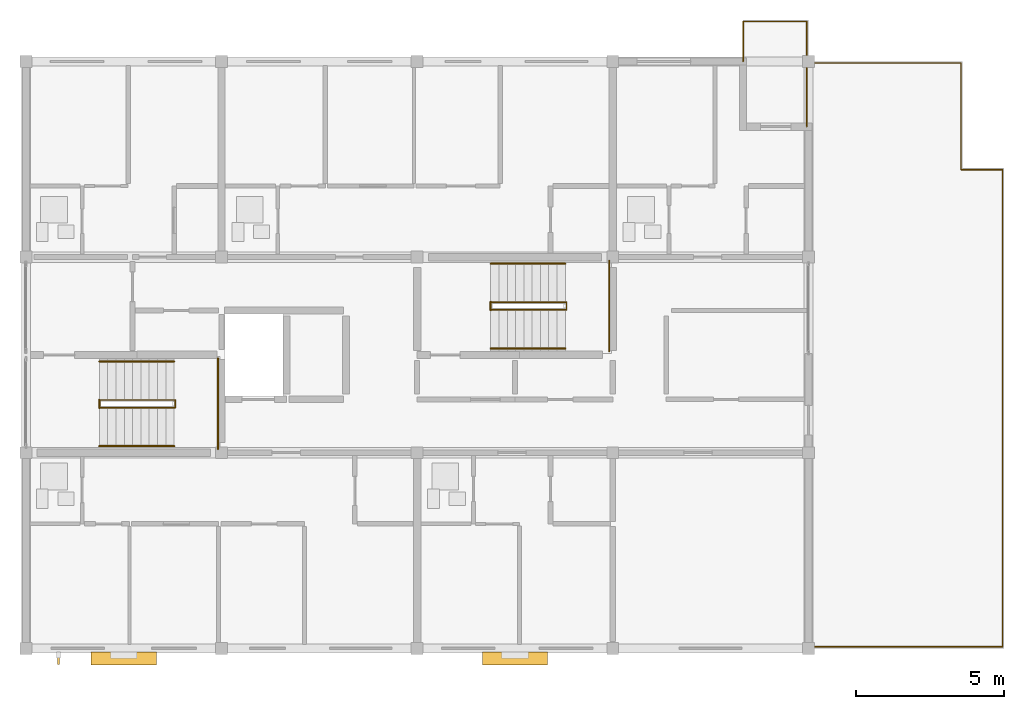
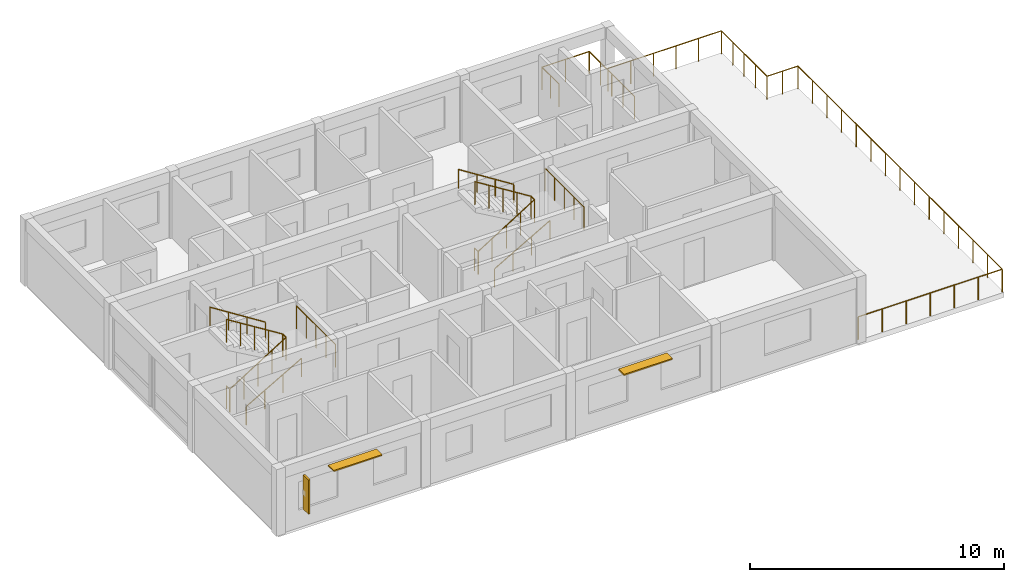
# One storey, part 11 of 12: 12 railings, 3 shading devices.
"""IFC4 building model written with IfcOpenShell, lengths in metres."""

from ifc_helpers import new_model, si_unit, direction, frame, origin, origin_2d, place, context, subcontext, project, spatial, rectangle, circle, extrude, material, layer, layer_set, type_object, element, save


model = new_model("IFC4")

# Units and contexts
model_context = context("Model", 3, precision=1e-05, world=origin(), true_north=direction((0.0, 1.0)))
body_context = subcontext(model_context, "Body", "Model", "MODEL_VIEW")
ifc_project = project(units=[si_unit("LENGTHUNIT", "METRE"), si_unit("AREAUNIT", "SQUARE_METRE"), si_unit("VOLUMEUNIT", "CUBIC_METRE"), si_unit("PLANEANGLEUNIT", "RADIAN"), si_unit("MASSUNIT", "GRAM", prefix="KILO")], contexts=[model_context])

# Site, building, storey
site_placement = place(None, origin())
site = spatial("IfcSite", under=ifc_project, at=site_placement, CompositionType="ELEMENT")
building_placement = place(site_placement, origin())
building = spatial("IfcBuilding", under=site, at=building_placement, Name="Kernevlak Ridge Housing Community", CompositionType="ELEMENT")
storey_placement = place(building_placement, frame((0.0, 0.0, 56.39990234375)))
storey = spatial("IfcBuildingStorey", under=building, at=storey_placement, Name="L17", CompositionType="ELEMENT", Elevation=56.39990234375)

# Railings
ifc_material_1 = material(Name="Steel S355", Category="steel")
railing_type_1 = type_object("IfcRailingType", Name="BL-01", PredefinedType="BALUSTRADE", material=ifc_material_1)
railing_1_placement = place(storey_placement, frame((39.800048828125, 95.800048828125, 0.0)))
element("IfcRailing", 1, at=railing_1_placement, inside=storey, type_object=railing_type_1, Name="Block A L17 balcony balustrade BL-01 17", PredefinedType="BALUSTRADE", context=body_context, shape_type="SweptSolid", body=[
    extrude(circle(Radius=0.02392578125, at=origin_2d()), frame((0.0, 0.0, 1.076171875), z_axis=(0.0, 1.0, 0.0), x_axis=(-1.0, 0.0, 0.0)), (0.0, 0.0, 1.0), 1.349853515625),
    extrude(circle(Radius=0.02392578125, at=origin_2d()), frame((0.0, 1.349853515625, 1.076171875), z_axis=(1.0, 0.0, 0.0), x_axis=(0.0, 1.0, 0.0)), (0.0, 0.0, 1.0), 2.14990234375),
    extrude(circle(Radius=0.02392578125, at=origin_2d()), frame((2.14990234375, 1.349853515625, 1.076171875), z_axis=(0.0, -1.0, 0.0), x_axis=(1.0, 0.0, 0.0)), (0.0, 0.0, 1.0), 3.5498046875),
    extrude(circle(Radius=0.02099609375, at=origin_2d()), origin(), (0.0, 0.0, 1.0), 1.052001953125),
    extrude(circle(Radius=0.02099609375, at=origin_2d()), frame((0.0, 0.6748046875, 0.0)), (0.0, 0.0, 1.0), 1.052001953125),
    extrude(circle(Radius=0.02099609375, at=origin_2d()), frame((0.0, 1.349853515625, 0.0)), (0.0, 0.0, 1.0), 1.052001953125),
    extrude(circle(Radius=0.02099609375, at=origin_2d()), frame((1.074951171875, 1.349853515625, 0.0)), (0.0, 0.0, 1.0), 1.052001953125),
    extrude(circle(Radius=0.02099609375, at=origin_2d()), frame((2.14990234375, 1.349853515625, 0.0)), (0.0, 0.0, 1.0), 1.052001953125),
    extrude(circle(Radius=0.02099609375, at=origin_2d()), frame((2.14990234375, 0.46240234375, 0.0)), (0.0, 0.0, 1.0), 1.052001953125),
    extrude(circle(Radius=0.02099609375, at=origin_2d()), frame((2.14990234375, -0.425048828125, 0.0)), (0.0, 0.0, 1.0), 1.052001953125),
    extrude(circle(Radius=0.02099609375, at=origin_2d()), frame((2.14990234375, -1.3125, 0.0)), (0.0, 0.0, 1.0), 1.052001953125),
    extrude(circle(Radius=0.02099609375, at=origin_2d()), frame((2.14990234375, -2.199951171875, 0.0)), (0.0, 0.0, 1.0), 1.052001953125),
])
railing_type_2 = type_object("IfcRailingType", Name="GR-01", PredefinedType="GUARDRAIL", material=ifc_material_1)
railing_2_placement = place(storey_placement, frame((42.0, 76.050048828125, 0.0)))
element("IfcRailing", 2, at=railing_2_placement, inside=storey, type_object=railing_type_2, Name="Block A L17 setback terrace guard GR-01 18", PredefinedType="GUARDRAIL", context=body_context, shape_type="SweptSolid", body=[
    extrude(circle(Radius=0.02392578125, at=origin_2d()), frame((0.0, 0.0, 1.09619140625), z_axis=(1.0, 0.0, 0.0), x_axis=(0.0, 1.0, 0.0)), (0.0, 0.0, 1.0), 6.550048828125),
    extrude(circle(Radius=0.02392578125, at=origin_2d()), frame((6.550048828125, 0.0, 1.09619140625), z_axis=(0.0, 1.0, 0.0), x_axis=(-1.0, 0.0, 0.0)), (0.0, 0.0, 1.0), 16.099853515625),
    extrude(circle(Radius=0.02392578125, at=origin_2d()), frame((6.550048828125, 16.099853515625, 1.09619140625), z_axis=(-1.0, 0.0, 0.0), x_axis=(0.0, -1.0, 0.0)), (0.0, 0.0, 1.0), 1.400146484375),
    extrude(circle(Radius=0.02392578125, at=origin_2d()), frame((5.14990234375, 16.099853515625, 1.09619140625), z_axis=(0.0, 1.0, 0.0), x_axis=(-1.0, 0.0, 0.0)), (0.0, 0.0, 1.0), 3.60009765625),
    extrude(circle(Radius=0.02392578125, at=origin_2d()), frame((5.14990234375, 19.699951171875, 1.09619140625), z_axis=(-1.0, 0.0, 0.0), x_axis=(0.0, -1.0, 0.0)), (0.0, 0.0, 1.0), 5.14990234375),
    extrude(circle(Radius=0.02099609375, at=origin_2d()), origin(), (0.0, 0.0, 1.0), 1.072021484375),
    extrude(circle(Radius=0.02099609375, at=origin_2d()), frame((1.091796875, 0.0, 0.0)), (0.0, 0.0, 1.0), 1.072021484375),
    extrude(circle(Radius=0.02099609375, at=origin_2d()), frame((2.183349609375, 0.0, 0.0)), (0.0, 0.0, 1.0), 1.072021484375),
    extrude(circle(Radius=0.02099609375, at=origin_2d()), frame((3.27490234375, 0.0, 0.0)), (0.0, 0.0, 1.0), 1.072021484375),
    extrude(circle(Radius=0.02099609375, at=origin_2d()), frame((4.36669921875, 0.0, 0.0)), (0.0, 0.0, 1.0), 1.072021484375),
    extrude(circle(Radius=0.02099609375, at=origin_2d()), frame((5.45849609375, 0.0, 0.0)), (0.0, 0.0, 1.0), 1.072021484375),
    extrude(circle(Radius=0.02099609375, at=origin_2d()), frame((6.550048828125, 0.0, 0.0)), (0.0, 0.0, 1.0), 1.072021484375),
    extrude(circle(Radius=0.02099609375, at=origin_2d()), frame((6.550048828125, 1.14990234375, 0.0)), (0.0, 0.0, 1.0), 1.072021484375),
    extrude(circle(Radius=0.02099609375, at=origin_2d()), frame((6.550048828125, 2.300048828125, 0.0)), (0.0, 0.0, 1.0), 1.072021484375),
    extrude(circle(Radius=0.02099609375, at=origin_2d()), frame((6.550048828125, 3.449951171875, 0.0)), (0.0, 0.0, 1.0), 1.072021484375),
    extrude(circle(Radius=0.02099609375, at=origin_2d()), frame((6.550048828125, 4.599853515625, 0.0)), (0.0, 0.0, 1.0), 1.072021484375),
    extrude(circle(Radius=0.02099609375, at=origin_2d()), frame((6.550048828125, 5.75, 0.0)), (0.0, 0.0, 1.0), 1.072021484375),
    extrude(circle(Radius=0.02099609375, at=origin_2d()), frame((6.550048828125, 6.89990234375, 0.0)), (0.0, 0.0, 1.0), 1.072021484375),
    extrude(circle(Radius=0.02099609375, at=origin_2d()), frame((6.550048828125, 8.0498046875, 0.0)), (0.0, 0.0, 1.0), 1.072021484375),
    extrude(circle(Radius=0.02099609375, at=origin_2d()), frame((6.550048828125, 9.199951171875, 0.0)), (0.0, 0.0, 1.0), 1.072021484375),
    extrude(circle(Radius=0.02099609375, at=origin_2d()), frame((6.550048828125, 10.349853515625, 0.0)), (0.0, 0.0, 1.0), 1.072021484375),
    extrude(circle(Radius=0.02099609375, at=origin_2d()), frame((6.550048828125, 11.5, 0.0)), (0.0, 0.0, 1.0), 1.072021484375),
    extrude(circle(Radius=0.02099609375, at=origin_2d()), frame((6.550048828125, 12.64990234375, 0.0)), (0.0, 0.0, 1.0), 1.072021484375),
    extrude(circle(Radius=0.02099609375, at=origin_2d()), frame((6.550048828125, 13.7998046875, 0.0)), (0.0, 0.0, 1.0), 1.072021484375),
    extrude(circle(Radius=0.02099609375, at=origin_2d()), frame((6.550048828125, 14.949951171875, 0.0)), (0.0, 0.0, 1.0), 1.072021484375),
    extrude(circle(Radius=0.02099609375, at=origin_2d()), frame((6.550048828125, 16.099853515625, 0.0)), (0.0, 0.0, 1.0), 1.072021484375),
    extrude(circle(Radius=0.02099609375, at=origin_2d()), frame((5.85009765625, 16.099853515625, 0.0)), (0.0, 0.0, 1.0), 1.072021484375),
    extrude(circle(Radius=0.02099609375, at=origin_2d()), frame((5.14990234375, 16.099853515625, 0.0)), (0.0, 0.0, 1.0), 1.072021484375),
    extrude(circle(Radius=0.02099609375, at=origin_2d()), frame((5.14990234375, 17.0, 0.0)), (0.0, 0.0, 1.0), 1.072021484375),
    extrude(circle(Radius=0.02099609375, at=origin_2d()), frame((5.14990234375, 17.89990234375, 0.0)), (0.0, 0.0, 1.0), 1.072021484375),
    extrude(circle(Radius=0.02099609375, at=origin_2d()), frame((5.14990234375, 18.7998046875, 0.0)), (0.0, 0.0, 1.0), 1.072021484375),
    extrude(circle(Radius=0.02099609375, at=origin_2d()), frame((5.14990234375, 19.699951171875, 0.0)), (0.0, 0.0, 1.0), 1.072021484375),
    extrude(circle(Radius=0.02099609375, at=origin_2d()), frame((4.119873046875, 19.699951171875, 0.0)), (0.0, 0.0, 1.0), 1.072021484375),
    extrude(circle(Radius=0.02099609375, at=origin_2d()), frame((3.08984375, 19.699951171875, 0.0)), (0.0, 0.0, 1.0), 1.072021484375),
    extrude(circle(Radius=0.02099609375, at=origin_2d()), frame((2.06005859375, 19.699951171875, 0.0)), (0.0, 0.0, 1.0), 1.072021484375),
    extrude(circle(Radius=0.02099609375, at=origin_2d()), frame((1.030029296875, 19.699951171875, 0.0)), (0.0, 0.0, 1.0), 1.072021484375),
    extrude(circle(Radius=0.02099609375, at=origin_2d()), frame((0.0, 19.699951171875, 0.0)), (0.0, 0.0, 1.0), 1.072021484375),
])
railing_type_3 = type_object("IfcRailingType", Name="GR-02", PredefinedType="GUARDRAIL", material=ifc_material_1)
railing_3_placement = place(storey_placement, frame((18.080078125, 84.110107421875, 0.0)))
element("IfcRailing", 3, at=railing_3_placement, inside=storey, type_object=railing_type_3, Name="Stair ST-A1 L17 well slot guard", PredefinedType="GUARDRAIL", context=body_context, shape_type="SweptSolid", body=[
    extrude(circle(Radius=0.02392578125, at=origin_2d()), frame((0.0, 0.0, 1.09619140625), z_axis=(0.0, 1.0, 0.0), x_axis=(-1.0, 0.0, 0.0)), (0.0, 0.0, 1.0), 0.27978515625),
    extrude(circle(Radius=0.02099609375, at=origin_2d()), origin(), (0.0, 0.0, 1.0), 1.072021484375),
    extrude(circle(Radius=0.02099609375, at=origin_2d()), frame((0.0, 0.27978515625, 0.0)), (0.0, 0.0, 1.0), 1.072021484375),
])
railing_4_placement = place(storey_placement, frame((18.080078125, 84.1201171875, 0.0)))
element("IfcRailing", 4, at=railing_4_placement, inside=storey, type_object=railing_type_3, Name="Stair ST-A1 L17 inner well guardrail", PredefinedType="GUARDRAIL", context=body_context, shape_type="SweptSolid", body=[
    extrude(circle(Radius=0.02392578125, at=origin_2d()), frame((0.0, 0.0, 1.09619140625), z_axis=(0.847966497998, 0.0, 0.530049826217), x_axis=(0.0, 1.0, 0.0)), (0.0, 0.0, 1.0), 3.018798828125),
    extrude(circle(Radius=0.02392578125, at=origin_2d()), frame((2.559814453125, 0.0, 2.6962890625), z_axis=(0.0, 1.0, 0.0), x_axis=(-1.0, 0.0, 0.0)), (0.0, 0.0, 1.0), 0.259765625),
    extrude(circle(Radius=0.02392578125, at=origin_2d()), frame((2.559814453125, 0.259765625, 2.6962890625), z_axis=(-0.847966497998, 0.0, 0.530049826217), x_axis=(0.0, -1.0, 0.0)), (0.0, 0.0, 1.0), 3.018798828125),
    extrude(circle(Radius=0.02099609375, at=origin_2d()), origin(), (0.0, 0.0, 1.0), 1.072021484375),
    extrude(circle(Radius=0.02099609375, at=origin_2d()), frame((0.639892578125, 0.0, 0.39990234375)), (0.0, 0.0, 1.0), 1.072021484375),
    extrude(circle(Radius=0.02099609375, at=origin_2d()), frame((1.27978515625, 0.0, 0.800048828125)), (0.0, 0.0, 1.0), 1.072021484375),
    extrude(circle(Radius=0.02099609375, at=origin_2d()), frame((1.919921875, 0.0, 1.2001953125)), (0.0, 0.0, 1.0), 1.072021484375),
    extrude(circle(Radius=0.02099609375, at=origin_2d()), frame((2.559814453125, 0.0, 1.60009765625)), (0.0, 0.0, 1.0), 1.072021484375),
    extrude(circle(Radius=0.02099609375, at=origin_2d()), frame((2.559814453125, 0.259765625, 1.60009765625)), (0.0, 0.0, 1.0), 1.072021484375),
    extrude(circle(Radius=0.02099609375, at=origin_2d()), frame((1.919921875, 0.259765625, 2.0)), (0.0, 0.0, 1.0), 1.072021484375),
    extrude(circle(Radius=0.02099609375, at=origin_2d()), frame((1.27978515625, 0.259765625, 2.400146484375)), (0.0, 0.0, 1.0), 1.072021484375),
    extrude(circle(Radius=0.02099609375, at=origin_2d()), frame((0.639892578125, 0.259765625, 2.80029296875)), (0.0, 0.0, 1.0), 1.072021484375),
    extrude(circle(Radius=0.02099609375, at=origin_2d()), frame((0.0, 0.259765625, 3.2001953125)), (0.0, 0.0, 1.0), 1.072021484375),
])
railing_5_placement = place(storey_placement, frame((22.080078125, 82.719970703125, 1.60009765625)))
element("IfcRailing", 5, at=railing_5_placement, inside=storey, type_object=railing_type_3, Name="Stair ST-A1 L17 half-landing guard", PredefinedType="GUARDRAIL", context=body_context, shape_type="SweptSolid", body=[
    extrude(circle(Radius=0.02392578125, at=origin_2d()), frame((0.0, 0.0, 1.09619140625), z_axis=(0.0, 1.0, 0.0), x_axis=(-1.0, 0.0, 0.0)), (0.0, 0.0, 1.0), 3.06005859375),
    extrude(circle(Radius=0.02099609375, at=origin_2d()), origin(), (0.0, 0.0, 1.0), 1.072021484375),
    extrude(circle(Radius=0.02099609375, at=origin_2d()), frame((0.0, 0.76513671875, 0.0)), (0.0, 0.0, 1.0), 1.072021484375),
    extrude(circle(Radius=0.02099609375, at=origin_2d()), frame((0.0, 1.530029296875, 0.0)), (0.0, 0.0, 1.0), 1.072021484375),
    extrude(circle(Radius=0.02099609375, at=origin_2d()), frame((0.0, 2.294921875, 0.0)), (0.0, 0.0, 1.0), 1.072021484375),
    extrude(circle(Radius=0.02099609375, at=origin_2d()), frame((0.0, 3.06005859375, 0.0)), (0.0, 0.0, 1.0), 1.072021484375),
])
railing_6_placement = place(storey_placement, frame((31.280029296875, 87.409912109375, 0.0)))
element("IfcRailing", 6, at=railing_6_placement, inside=storey, type_object=railing_type_3, Name="Stair ST-A2 L17 well slot guard", PredefinedType="GUARDRAIL", context=body_context, shape_type="SweptSolid", body=[
    extrude(circle(Radius=0.02392578125, at=origin_2d()), frame((0.0, 0.0, 1.09619140625), z_axis=(0.0, 1.0, 0.0), x_axis=(-1.0, 0.0, 0.0)), (0.0, 0.0, 1.0), 0.280029296875),
    extrude(circle(Radius=0.02099609375, at=origin_2d()), origin(), (0.0, 0.0, 1.0), 1.072021484375),
    extrude(circle(Radius=0.02099609375, at=origin_2d()), frame((0.0, 0.280029296875, 0.0)), (0.0, 0.0, 1.0), 1.072021484375),
])
railing_7_placement = place(storey_placement, frame((31.280029296875, 87.419921875, 0.0)))
element("IfcRailing", 7, at=railing_7_placement, inside=storey, type_object=railing_type_3, Name="Stair ST-A2 L17 inner well guardrail", PredefinedType="GUARDRAIL", context=body_context, shape_type="SweptSolid", body=[
    extrude(circle(Radius=0.02392578125, at=origin_2d()), frame((0.0, 0.0, 1.09619140625), z_axis=(0.847989217509, 0.0, 0.530013478119), x_axis=(0.0, 1.0, 0.0)), (0.0, 0.0, 1.0), 3.01904296875),
    extrude(circle(Radius=0.02392578125, at=origin_2d()), frame((2.56005859375, 0.0, 2.6962890625), z_axis=(0.0, 1.0, 0.0), x_axis=(-1.0, 0.0, 0.0)), (0.0, 0.0, 1.0), 0.260009765625),
    extrude(circle(Radius=0.02392578125, at=origin_2d()), frame((2.56005859375, 0.260009765625, 2.6962890625), z_axis=(-0.847989217509, 0.0, 0.530013478119), x_axis=(0.0, -1.0, 0.0)), (0.0, 0.0, 1.0), 3.01904296875),
    extrude(circle(Radius=0.02099609375, at=origin_2d()), origin(), (0.0, 0.0, 1.0), 1.072021484375),
    extrude(circle(Radius=0.02099609375, at=origin_2d()), frame((0.64013671875, 0.0, 0.39990234375)), (0.0, 0.0, 1.0), 1.072021484375),
    extrude(circle(Radius=0.02099609375, at=origin_2d()), frame((1.280029296875, 0.0, 0.800048828125)), (0.0, 0.0, 1.0), 1.072021484375),
    extrude(circle(Radius=0.02099609375, at=origin_2d()), frame((1.919921875, 0.0, 1.2001953125)), (0.0, 0.0, 1.0), 1.072021484375),
    extrude(circle(Radius=0.02099609375, at=origin_2d()), frame((2.56005859375, 0.0, 1.60009765625)), (0.0, 0.0, 1.0), 1.072021484375),
    extrude(circle(Radius=0.02099609375, at=origin_2d()), frame((2.56005859375, 0.260009765625, 1.60009765625)), (0.0, 0.0, 1.0), 1.072021484375),
    extrude(circle(Radius=0.02099609375, at=origin_2d()), frame((1.919921875, 0.260009765625, 2.0)), (0.0, 0.0, 1.0), 1.072021484375),
    extrude(circle(Radius=0.02099609375, at=origin_2d()), frame((1.280029296875, 0.260009765625, 2.400146484375)), (0.0, 0.0, 1.0), 1.072021484375),
    extrude(circle(Radius=0.02099609375, at=origin_2d()), frame((0.64013671875, 0.260009765625, 2.80029296875)), (0.0, 0.0, 1.0), 1.072021484375),
    extrude(circle(Radius=0.02099609375, at=origin_2d()), frame((0.0, 0.260009765625, 3.2001953125)), (0.0, 0.0, 1.0), 1.072021484375),
])
railing_8_placement = place(storey_placement, frame((35.280029296875, 86.02001953125, 1.60009765625)))
element("IfcRailing", 8, at=railing_8_placement, inside=storey, type_object=railing_type_3, Name="Stair ST-A2 L17 half-landing guard", PredefinedType="GUARDRAIL", context=body_context, shape_type="SweptSolid", body=[
    extrude(circle(Radius=0.02392578125, at=origin_2d()), frame((0.0, 0.0, 1.09619140625), z_axis=(0.0, 1.0, 0.0), x_axis=(-1.0, 0.0, 0.0)), (0.0, 0.0, 1.0), 3.06005859375),
    extrude(circle(Radius=0.02099609375, at=origin_2d()), origin(), (0.0, 0.0, 1.0), 1.072021484375),
    extrude(circle(Radius=0.02099609375, at=origin_2d()), frame((0.0, 0.76513671875, 0.0)), (0.0, 0.0, 1.0), 1.072021484375),
    extrude(circle(Radius=0.02099609375, at=origin_2d()), frame((0.0, 1.530029296875, 0.0)), (0.0, 0.0, 1.0), 1.072021484375),
    extrude(circle(Radius=0.02099609375, at=origin_2d()), frame((0.0, 2.294921875, 0.0)), (0.0, 0.0, 1.0), 1.072021484375),
    extrude(circle(Radius=0.02099609375, at=origin_2d()), frame((0.0, 3.06005859375, 0.0)), (0.0, 0.0, 1.0), 1.072021484375),
])
ifc_material_2 = material(Name="Stainless steel EN 1.4401", Category="steel")
railing_type_4 = type_object("IfcRailingType", Name="HR-01", PredefinedType="HANDRAIL", material=ifc_material_2)
railing_9_placement = place(storey_placement, frame((18.080078125, 82.820068359375, 0.16015625)))
element("IfcRailing", 9, at=railing_9_placement, inside=storey, type_object=railing_type_4, Name="Stair ST-A1 L17 flight 1 handrail", PredefinedType="HANDRAIL", context=body_context, shape_type="SweptSolid", body=[
    extrude(circle(Radius=0.02392578125, at=origin_2d()), frame((0.0, 0.0, 0.89599609375), z_axis=(0.868253494771, 0.0, 0.496120820787), x_axis=(0.0, 1.0, 0.0)), (0.0, 0.0, 1.0), 2.90234375),
    extrude(circle(Radius=0.02099609375, at=origin_2d()), origin(), (0.0, 0.0, 1.0), 0.871826171875),
    extrude(circle(Radius=0.02099609375, at=origin_2d()), frame((0.840087890625, 0.0, 0.47998046875)), (0.0, 0.0, 1.0), 0.871826171875),
    extrude(circle(Radius=0.02099609375, at=origin_2d()), frame((1.679931640625, 0.0, 0.9599609375)), (0.0, 0.0, 1.0), 0.871826171875),
    extrude(circle(Radius=0.02099609375, at=origin_2d()), frame((2.52001953125, 0.0, 1.43994140625)), (0.0, 0.0, 1.0), 0.871826171875),
])
railing_10_placement = place(storey_placement, frame((20.60009765625, 85.679931640625, 1.60009765625)))
element("IfcRailing", 10, at=railing_10_placement, inside=storey, type_object=railing_type_4, Name="Stair ST-A1 L17 flight 2 handrail", PredefinedType="HANDRAIL", context=body_context, shape_type="SweptSolid", body=[
    extrude(circle(Radius=0.02392578125, at=origin_2d()), frame((0.0, 0.0, 0.89599609375), z_axis=(-0.844199891302, 0.0, 0.536028491338), x_axis=(0.0, -1.0, 0.0)), (0.0, 0.0, 1.0), 2.985107421875),
    extrude(circle(Radius=0.02099609375, at=origin_2d()), origin(), (0.0, 0.0, 1.0), 0.871826171875),
    extrude(circle(Radius=0.02099609375, at=origin_2d()), frame((-0.840087890625, 0.0, 0.533447265625)), (0.0, 0.0, 1.0), 0.871826171875),
    extrude(circle(Radius=0.02099609375, at=origin_2d()), frame((-1.679931640625, 0.0, 1.066650390625)), (0.0, 0.0, 1.0), 0.871826171875),
    extrude(circle(Radius=0.02099609375, at=origin_2d()), frame((-2.52001953125, 0.0, 1.60009765625)), (0.0, 0.0, 1.0), 0.871826171875),
])
railing_11_placement = place(storey_placement, frame((31.280029296875, 86.1201171875, 0.16015625)))
element("IfcRailing", 11, at=railing_11_placement, inside=storey, type_object=railing_type_4, Name="Stair ST-A2 L17 flight 1 handrail", PredefinedType="HANDRAIL", context=body_context, shape_type="SweptSolid", body=[
    extrude(circle(Radius=0.02392578125, at=origin_2d()), frame((0.0, 0.0, 0.89599609375), z_axis=(0.868253494771, 0.0, 0.496120820787), x_axis=(0.0, 1.0, 0.0)), (0.0, 0.0, 1.0), 2.90234375),
    extrude(circle(Radius=0.02099609375, at=origin_2d()), origin(), (0.0, 0.0, 1.0), 0.871826171875),
    extrude(circle(Radius=0.02099609375, at=origin_2d()), frame((0.840087890625, 0.0, 0.47998046875)), (0.0, 0.0, 1.0), 0.871826171875),
    extrude(circle(Radius=0.02099609375, at=origin_2d()), frame((1.679931640625, 0.0, 0.9599609375)), (0.0, 0.0, 1.0), 0.871826171875),
    extrude(circle(Radius=0.02099609375, at=origin_2d()), frame((2.52001953125, 0.0, 1.43994140625)), (0.0, 0.0, 1.0), 0.871826171875),
])
railing_12_placement = place(storey_placement, frame((33.800048828125, 88.97998046875, 1.60009765625)))
element("IfcRailing", 12, at=railing_12_placement, inside=storey, type_object=railing_type_4, Name="Stair ST-A2 L17 flight 2 handrail", PredefinedType="HANDRAIL", context=body_context, shape_type="SweptSolid", body=[
    extrude(circle(Radius=0.02392578125, at=origin_2d()), frame((0.0, 0.0, 0.89599609375), z_axis=(-0.844199891302, 0.0, 0.536028491338), x_axis=(0.0, -1.0, 0.0)), (0.0, 0.0, 1.0), 2.985107421875),
    extrude(circle(Radius=0.02099609375, at=origin_2d()), origin(), (0.0, 0.0, 1.0), 0.871826171875),
    extrude(circle(Radius=0.02099609375, at=origin_2d()), frame((-0.840087890625, 0.0, 0.533447265625)), (0.0, 0.0, 1.0), 0.871826171875),
    extrude(circle(Radius=0.02099609375, at=origin_2d()), frame((-1.679931640625, 0.0, 1.066650390625)), (0.0, 0.0, 1.0), 0.871826171875),
    extrude(circle(Radius=0.02099609375, at=origin_2d()), frame((-2.52001953125, 0.0, 1.60009765625)), (0.0, 0.0, 1.0), 0.871826171875),
])

# Shading devices
ifc_material_3 = material(Name="Aluminium EN AW-6060 anodised", Category="aluminium")
ifc_layer = layer(ifc_material_3, 0.06005859375, Name="Aluminium EN AW-6060 anodised")
ifc_layer_set = layer_set([ifc_layer], Name="Aluminium EN AW-6060 anodised")
shading_device_type_1 = type_object("IfcShadingDeviceType", Name="LV-01", PredefinedType="JALOUSIE", material=ifc_layer_set)
for number, where, z_axis, x_axis, name in (
    (13, (18.89990234375, 75.659912109375, 2.489990234375), (0.0, 0.0, 1.0), (1.0, 0.0, 0.0), "Horizontal solar louvre 15"),
    (14, (32.10009765625, 75.659912109375, 2.489990234375), (0.0, 0.0, 1.0), (1.0, 0.0, 0.0), "Horizontal solar louvre 16"),
):
    element("IfcShadingDevice", number, at=place(storey_placement, frame(where, z_axis=z_axis, x_axis=x_axis)), inside=storey, type_object=shading_device_type_1, Name=name, PredefinedType="JALOUSIE", context=body_context, shape_type="SweptSolid", body=[
        extrude(rectangle(XDim=2.199951171875, YDim=0.43994140625, at=origin_2d()), origin(), (0.0, 0.0, 1.0), 0.06005859375),
    ])
ifc_material_4 = material(Name="Aluminium EN AW-6060 enamelled", Category="aluminium")
shading_device_type_2 = type_object("IfcShadingDeviceType", Name="LV-02", PredefinedType="USERDEFINED", material=ifc_material_4)
shading_device_placement = place(storey_placement, frame((16.699951171875, 75.669921875, 0.8251953125), z_axis=(0.0, 0.0, 1.0), x_axis=(1.0, 0.0, 0.0)))
element("IfcShadingDevice", 15, at=shading_device_placement, inside=storey, type_object=shading_device_type_2, Name="De Stijl yellow vertical solar fin 15", ObjectType="LOUVRE", PredefinedType="USERDEFINED", context=body_context, shape_type="SweptSolid", body=[
    extrude(rectangle(XDim=0.080078125, YDim=0.419921875, at=origin_2d()), origin(), (0.0, 0.0, 1.0), 1.64990234375),
])

save(model, "model.ifc")
